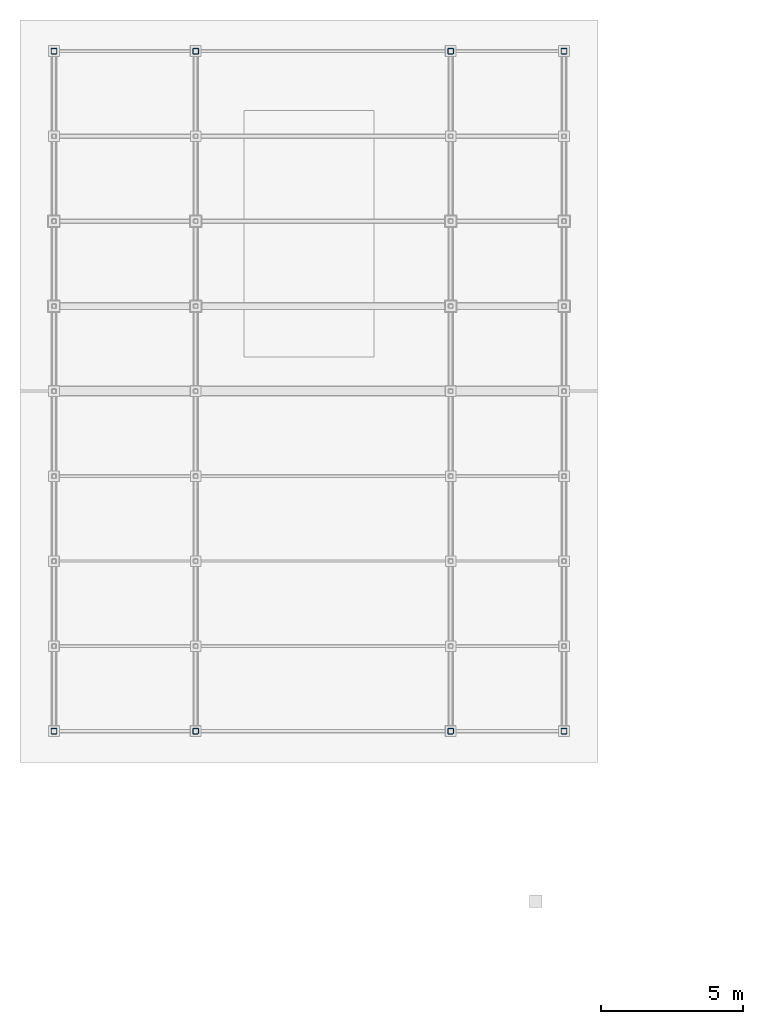
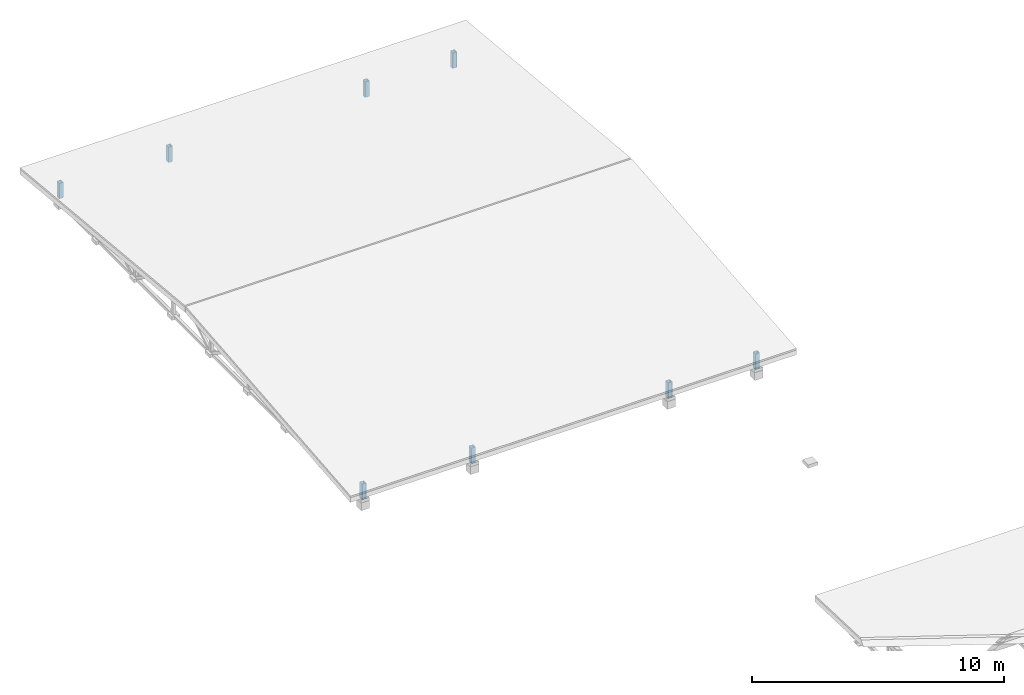
# One storey, part 20 of 25: 8 members.
"""IFC4 building model written with IfcOpenShell, lengths in metres."""

from ifc_helpers import new_model, si_unit, direction, frame, origin, origin_2d, place, context, subcontext, project, spatial, hollow_rectangle, extrude, material, material_profile, profile_set, type_object, element, save


model = new_model("IFC4")

# Units and contexts
model_context = context("Model", 3, precision=1e-05, world=origin(), true_north=direction((0.0, 1.0)))
body_context = subcontext(model_context, "Body", "Model", "MODEL_VIEW")
ifc_project = project(units=[si_unit("LENGTHUNIT", "METRE"), si_unit("AREAUNIT", "SQUARE_METRE"), si_unit("VOLUMEUNIT", "CUBIC_METRE"), si_unit("PLANEANGLEUNIT", "RADIAN"), si_unit("MASSUNIT", "GRAM", prefix="KILO"), si_unit("THERMODYNAMICTEMPERATUREUNIT", "KELVIN"), si_unit("POWERUNIT", "WATT")], contexts=[model_context])

# Site, building, storey
site_placement = place(None, origin())
site = spatial("IfcSite", under=ifc_project, at=site_placement, CompositionType="ELEMENT")
building_placement = place(site_placement, origin())
building = spatial("IfcBuilding", under=site, at=building_placement, Name="Zelmaris Science Centre", CompositionType="ELEMENT")
storey_placement = place(building_placement, frame((0.0, 0.0, 30.0)))
storey = spatial("IfcBuildingStorey", under=building, at=storey_placement, Name="RF", CompositionType="ELEMENT", Elevation=30.0)

# Members
ifc_material = material(Name="Steel ASTM A500 Grade C", Category="steel")
ifc_material_profile = material_profile(ifc_material, hollow_rectangle(XDim=0.203125, YDim=0.203125, WallThickness=0.01171875, InnerFilletRadius=0.01171875, OuterFilletRadius=0.023681640625, at=origin_2d()), Name="HSS203X203X13")
ifc_profile_set = profile_set([ifc_material_profile], Name="Steel ASTM A500 Grade C")
member_type = type_object("IfcMemberType", Name="Structural Brace BR-02 HSS203X203X13", PredefinedType="BRACE", material=ifc_profile_set)
for number, where, z_axis, x_axis, name in (
    (1, (58.0, 64.0, 0.60009765625), (0.0, 0.0, 1.0), (1.0, 0.0, 0.0), "RF-V5 Roof truss 1 end post VS"),
    (2, (58.0, 88.0, 0.60009765625), (0.0, 0.0, 1.0), (1.0, 0.0, 0.0), "RF-V5 Roof truss 1 end post VN"),
    (3, (63.0, 64.0, 0.60009765625), (0.0, 0.0, 1.0), (1.0, 0.0, 0.0), "RF-V5 Roof truss 2 end post VS"),
    (4, (63.0, 88.0, 0.60009765625), (0.0, 0.0, 1.0), (1.0, 0.0, 0.0), "RF-V5 Roof truss 2 end post VN"),
    (5, (72.0, 64.0, 0.60009765625), (0.0, 0.0, 1.0), (1.0, 0.0, 0.0), "RF-V5 Roof truss 3 end post VS"),
    (6, (72.0, 88.0, 0.60009765625), (0.0, 0.0, 1.0), (1.0, 0.0, 0.0), "RF-V5 Roof truss 3 end post VN"),
    (7, (76.0, 64.0, 0.60009765625), (0.0, 0.0, 1.0), (1.0, 0.0, 0.0), "RF-V5 Roof truss 4 end post VS"),
    (8, (76.0, 88.0, 0.60009765625), (0.0, 0.0, 1.0), (1.0, 0.0, 0.0), "RF-V5 Roof truss 4 end post VN"),
):
    element("IfcMember", number, at=place(storey_placement, frame(where, z_axis=z_axis, x_axis=x_axis)), inside=storey, type_object=member_type, Name=name, PredefinedType="BRACE", context=body_context, shape_type="SweptSolid", body=[
        extrude(hollow_rectangle(XDim=0.203125, YDim=0.203125, WallThickness=0.01171875, InnerFilletRadius=0.01171875, OuterFilletRadius=0.023681640625, at=origin_2d()), origin(), (0.0, 0.0, 1.0), 0.747314453125),
    ])

save(model, "model.ifc")
